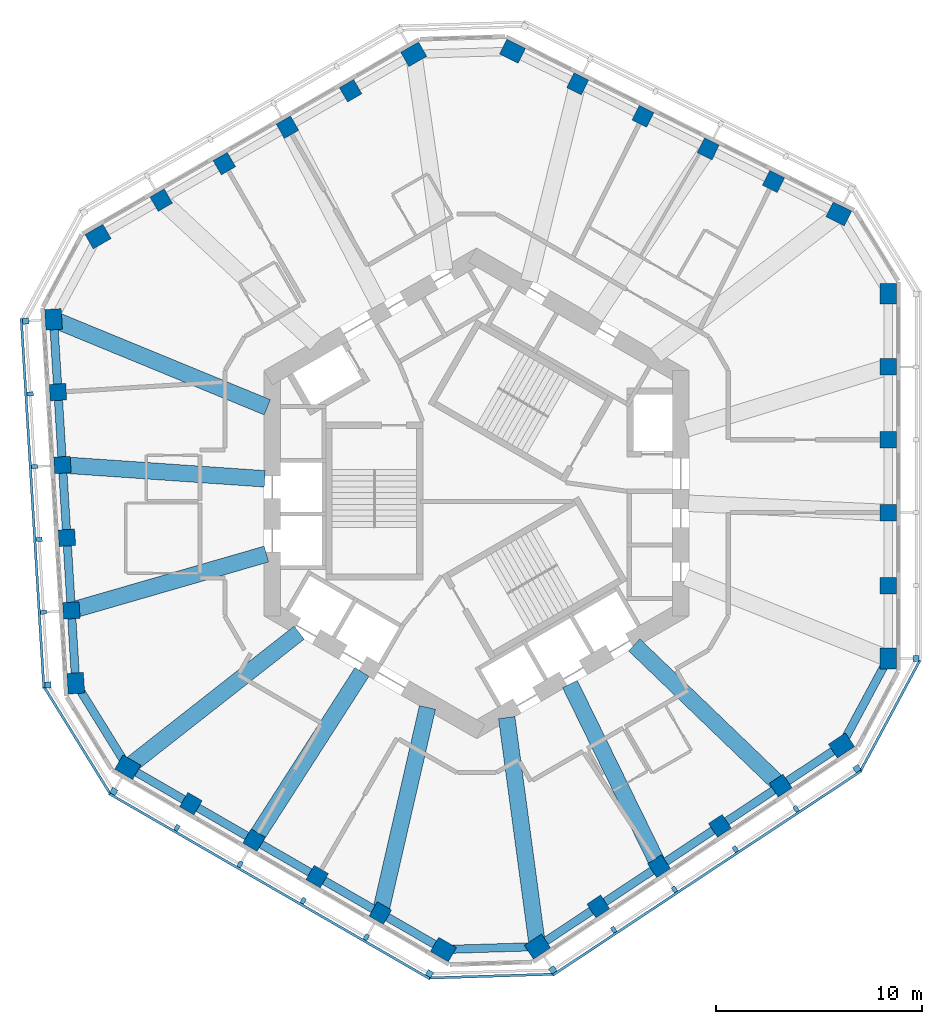
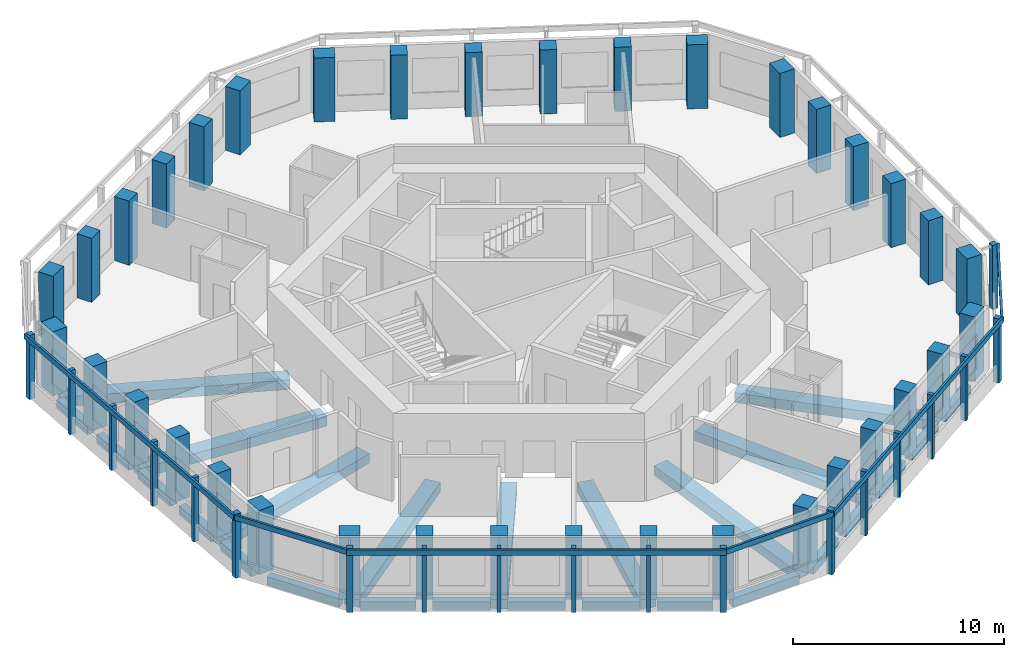
# One storey, part 1 of 11: 36 columns, 27 beams, 25 members, 7 elements without a shape of their own.
"""IFC4 building model written with IfcOpenShell, lengths in metres."""

from ifc_helpers import new_model, si_unit, direction, frame, origin, origin_2d, place, context, subcontext, project, spatial, rectangle, extrude, material, material_profile, profile_set, type_object, element, aggregate, save


model = new_model("IFC4")

# Units and contexts
model_context = context("Model", 3, precision=1e-05, world=origin(), true_north=direction((0.0, 1.0)))
body_context = subcontext(model_context, "Body", "Model", "MODEL_VIEW")
ifc_project = project(units=[si_unit("LENGTHUNIT", "METRE"), si_unit("AREAUNIT", "SQUARE_METRE"), si_unit("VOLUMEUNIT", "CUBIC_METRE"), si_unit("PLANEANGLEUNIT", "RADIAN"), si_unit("MASSUNIT", "GRAM", prefix="KILO")], contexts=[model_context])

# Site, building, storey
site_placement = place(None, origin())
site = spatial("IfcSite", under=ifc_project, at=site_placement, CompositionType="ELEMENT")
building_placement = place(site_placement, origin())
building = spatial("IfcBuilding", under=site, at=building_placement, Name="Vanh Sen Convention Tower", CompositionType="ELEMENT")
storey_placement = place(building_placement, frame((0.0, 0.0, 247.60009765625)))
storey = spatial("IfcBuildingStorey", under=building, at=storey_placement, Name="L61", CompositionType="ELEMENT", Elevation=247.60009765625)

# Columns
ifc_material_1 = material(Name="Concrete C60/75", Category="concrete")
ifc_material_profile_1 = material_profile(ifc_material_1, rectangle(XDim=0.800048828125, YDim=0.800048828125, at=origin_2d()), Name="RC 800X800")
ifc_profile_set_1 = profile_set([ifc_material_profile_1], Name="Concrete C60/75")
column_type_1 = type_object("IfcColumnType", Name="Facade column 800 x 800 C60/75", PredefinedType="COLUMN", material=ifc_profile_set_1)
for number, where, z_axis, x_axis, name in (
    (1, (19.949951171875, -4.46923828125, 0.0), (0.0, 0.0, 1.0), (0.0, 1.0, 0.0), "Facade column 02 L61"),
    (2, (19.949951171875, -0.935546875, 0.0), (0.0, 0.0, 1.0), (0.0, 1.0, 0.0), "Facade column 03 L61"),
    (3, (19.949951171875, 2.59814453125, 0.0), (0.0, 0.0, 1.0), (0.0, 1.0, 0.0), "Facade column 04 L61"),
    (4, (19.949951171875, 6.131591796875, 0.0), (0.0, 0.0, 1.0), (0.0, 1.0, 0.0), "Facade column 05 L61"),
    (5, (14.38916015625, 15.117919921875, 0.0), (0.0, 0.0, 1.0), (-0.894934361602, 0.44619781311, 0.0), "Facade column 08 L61"),
    (6, (11.226806640625, 16.694580078125, 0.0), (0.0, 0.0, 1.0), (-0.894934361602, 0.44619781311, 0.0), "Facade column 09 L61"),
    (7, (8.064453125, 18.271484375, 0.0), (0.0, 0.0, 1.0), (-0.894934361602, 0.44619781311, 0.0), "Facade column 10 L61"),
    (8, (4.902099609375, 19.84814453125, 0.0), (0.0, 0.0, 1.0), (-0.894934361602, 0.44619781311, 0.0), "Facade column 11 L61"),
    (9, (-6.1044921875, 19.51171875, 0.0), (0.0, 0.0, 1.0), (-0.866025403784, -0.5, 0.0), "Facade column 14 L61"),
    (10, (-9.164794921875, 17.7451171875, 0.0), (0.0, 0.0, 1.0), (-0.866025403784, -0.5, 0.0), "Facade column 15 L61"),
    (11, (-12.22509765625, 15.978271484375, 0.0), (0.0, 0.0, 1.0), (-0.866025403784, -0.5, 0.0), "Facade column 16 L61"),
    (12, (-15.28515625, 14.211181640625, 0.0), (0.0, 0.0, 1.0), (-0.866025403784, -0.5, 0.0), "Facade column 17 L61"),
    (13, (-20.287109375, 4.90234375, 0.0), (0.0, 0.0, 1.0), (0.061048539535, -0.998134798422, 0.0), "Facade column 20 L61"),
    (14, (-20.0712890625, 1.375244140625, 0.0), (0.0, 0.0, 1.0), (0.061048539535, -0.998134798422, 0.0), "Facade column 21 L61"),
    (15, (-19.855712890625, -2.151611328125, 0.0), (0.0, 0.0, 1.0), (0.061048539535, -0.998134798422, 0.0), "Facade column 22 L61"),
    (16, (-19.639892578125, -5.6787109375, 0.0), (0.0, 0.0, 1.0), (0.061048539535, -0.998134798422, 0.0), "Facade column 23 L61"),
    (17, (-13.845458984375, -15.04248046875, 0.0), (0.0, 0.0, 1.0), (0.866025403784, -0.5, 0.0), "Facade column 26 L61"),
    (18, (-10.78515625, -16.809326171875, 0.0), (0.0, 0.0, 1.0), (0.866025403784, -0.5, 0.0), "Facade column 27 L61"),
    (19, (-7.72509765625, -18.576416015625, 0.0), (0.0, 0.0, 1.0), (0.866025403784, -0.5, 0.0), "Facade column 28 L61"),
    (20, (-4.664794921875, -20.343017578125, 0.0), (0.0, 0.0, 1.0), (0.866025403784, -0.5, 0.0), "Facade column 29 L61"),
    (21, (5.89794921875, -20.0205078125, 0.0), (0.0, 0.0, 1.0), (0.833885822067, 0.551936985312, 0.0), "Facade column 32 L61"),
    (22, (8.844482421875, -18.070068359375, 0.0), (0.0, 0.0, 1.0), (0.833885822067, 0.551936985312, 0.0), "Facade column 33 L61"),
    (23, (11.791259765625, -16.11962890625, 0.0), (0.0, 0.0, 1.0), (0.833885822067, 0.551936985312, 0.0), "Facade column 34 L61"),
    (24, (14.73779296875, -14.169189453125, 0.0), (0.0, 0.0, 1.0), (0.833885822067, 0.551936985312, 0.0), "Facade column 35 L61"),
):
    element("IfcColumn", number, at=place(storey_placement, frame(where, z_axis=z_axis, x_axis=x_axis)), inside=storey, type_object=column_type_1, Name=name, PredefinedType="COLUMN", context=body_context, shape_type="SweptSolid", body=[
        extrude(rectangle(XDim=0.800048828125, YDim=0.800048828125, at=origin_2d()), origin(), (0.0, 0.0, 1.0), 3.699951171875),
    ])
ifc_material_profile_2 = material_profile(ifc_material_1, rectangle(XDim=1.0, YDim=0.800048828125, at=origin_2d()), Name="RC 1000X800")
ifc_profile_set_2 = profile_set([ifc_material_profile_2], Name="Concrete C60/75")
column_type_2 = type_object("IfcColumnType", Name="Facade corner column 1000 x 800 C60/75", PredefinedType="COLUMN", material=ifc_profile_set_2)
for number, where, z_axis, x_axis, name in (
    (25, (19.949951171875, -8.002685546875, 0.0), (0.0, 0.0, 1.0), (0.0, 1.0, 0.0), "Facade column 01 L61"),
    (26, (19.949951171875, 9.665283203125, 0.0), (0.0, 0.0, 1.0), (0.0, 1.0, 0.0), "Facade column 06 L61"),
    (27, (17.551513671875, 13.541259765625, 0.0), (0.0, 0.0, 1.0), (-0.894934361602, 0.44619781311, 0.0), "Facade column 07 L61"),
    (28, (1.73974609375, 21.4248046875, 0.0), (0.0, 0.0, 1.0), (-0.894934361602, 0.44619781311, 0.0), "Facade column 12 L61"),
    (29, (-3.04443359375, 21.278564453125, 0.0), (0.0, 0.0, 1.0), (-0.866025403784, -0.5, 0.0), "Facade column 13 L61"),
    (30, (-18.345458984375, 12.444580078125, 0.0), (0.0, 0.0, 1.0), (-0.866025403784, -0.5, 0.0), "Facade column 18 L61"),
    (31, (-20.502685546875, 8.429443359375, 0.0), (0.0, 0.0, 1.0), (0.061048539535, -0.998134798422, 0.0), "Facade column 19 L61"),
    (32, (-19.42431640625, -9.205810546875, 0.0), (0.0, 0.0, 1.0), (0.061048539535, -0.998134798422, 0.0), "Facade column 24 L61"),
    (33, (-16.905517578125, -13.27587890625, 0.0), (0.0, 0.0, 1.0), (0.866025403784, -0.5, 0.0), "Facade column 25 L61"),
    (34, (-1.6044921875, -22.10986328125, 0.0), (0.0, 0.0, 1.0), (0.866025403784, -0.5, 0.0), "Facade column 30 L61"),
    (35, (2.951416015625, -21.970703125, 0.0), (0.0, 0.0, 1.0), (0.833885822067, 0.551936985312, 0.0), "Facade column 31 L61"),
    (36, (17.6845703125, -12.218994140625, 0.0), (0.0, 0.0, 1.0), (0.833885822067, 0.551936985312, 0.0), "Facade column 36 L61"),
):
    element("IfcColumn", number, at=place(storey_placement, frame(where, z_axis=z_axis, x_axis=x_axis)), inside=storey, type_object=column_type_2, Name=name, PredefinedType="COLUMN", context=body_context, shape_type="SweptSolid", body=[
        extrude(rectangle(XDim=1.0, YDim=0.800048828125, at=origin_2d()), origin(), (0.0, 0.0, 1.0), 3.699951171875),
    ])

# Curtain wall, member
ifc_material_2 = material(Name="Concrete C50/60", Category="concrete")
curtain_wall_type = type_object("IfcCurtainWallType", Name="Outer skin office zone", PredefinedType="NOTDEFINED", material=ifc_material_2)
curtain_wall_1_placement = place(storey_placement, origin())
curtain_wall_1 = element("IfcCurtainWall", 37, at=curtain_wall_1_placement, inside=storey, type_object=curtain_wall_type, Name="OUTER SKIN E L61", PredefinedType="NOTDEFINED")
ifc_material_profile_3 = material_profile(ifc_material_2, rectangle(XDim=0.300048828125, YDim=0.300048828125, at=origin_2d()), Name="Outer skin precast corner fin 300 x 300")
ifc_profile_set_3 = profile_set([ifc_material_profile_3], Name="Concrete C50/60")
member_type_1 = type_object("IfcMemberType", Name="Outer skin precast corner fin 300 x 300", PredefinedType="MULLION", material=ifc_profile_set_3)
member_1_placement = place(storey_placement, frame((21.300048828125, -8.002685546875, 0.0), z_axis=(0.0, 0.0, 1.0), x_axis=(0.0, 1.0, 0.0)))
member_1 = element("IfcMember", 38, at=member_1_placement, type_object=member_type_1, Name="OUTER SKIN CORNER FIN 1 E L61", PredefinedType="MULLION", context=body_context, shape_type="SweptSolid", body=[
    extrude(rectangle(XDim=0.300048828125, YDim=0.300048828125, at=origin_2d()), origin(), (0.0, 0.0, 1.0), 3.699951171875),
])
aggregate(curtain_wall_1, [member_1])

# Curtain wall, members
curtain_wall_2_placement = place(storey_placement, origin())
curtain_wall_2 = element("IfcCurtainWall", 39, at=curtain_wall_2_placement, inside=storey, type_object=curtain_wall_type, Name="OUTER SKIN W L61", PredefinedType="NOTDEFINED")
member_2_placement = place(storey_placement, frame((-21.850341796875, 8.346923828125, 0.0), z_axis=(0.0, 0.0, 1.0), x_axis=(0.061048539535, -0.998134798422, 0.0)))
member_2 = element("IfcMember", 40, at=member_2_placement, type_object=member_type_1, Name="OUTER SKIN CORNER FIN 1 W L61", PredefinedType="MULLION", context=body_context, shape_type="SweptSolid", body=[
    extrude(rectangle(XDim=0.300048828125, YDim=0.300048828125, at=origin_2d()), origin(), (0.0, 0.0, 1.0), 3.699951171875),
])
member_3_placement = place(storey_placement, frame((-20.771728515625, -9.2880859375, 0.0), z_axis=(0.0, 0.0, 1.0), x_axis=(0.061048539535, -0.998134798422, 0.0)))
member_3 = element("IfcMember", 41, at=member_3_placement, type_object=member_type_1, Name="OUTER SKIN CORNER FIN 6 W L61", PredefinedType="MULLION", context=body_context, shape_type="SweptSolid", body=[
    extrude(rectangle(XDim=0.300048828125, YDim=0.300048828125, at=origin_2d()), origin(), (0.0, 0.0, 1.0), 3.699951171875),
])

curtain_wall_3_placement = place(storey_placement, origin())
curtain_wall_3 = element("IfcCurtainWall", 42, at=curtain_wall_3_placement, inside=storey, type_object=curtain_wall_type, Name="OUTER SKIN SW L61", PredefinedType="NOTDEFINED")
member_4_placement = place(storey_placement, frame((-17.58056640625, -14.44482421875, 0.0), z_axis=(0.0, 0.0, 1.0), x_axis=(0.866025403784, -0.5, 0.0)))
member_4 = element("IfcMember", 43, at=member_4_placement, type_object=member_type_1, Name="OUTER SKIN CORNER FIN 1 SW L61", PredefinedType="MULLION", context=body_context, shape_type="SweptSolid", body=[
    extrude(rectangle(XDim=0.300048828125, YDim=0.300048828125, at=origin_2d()), origin(), (0.0, 0.0, 1.0), 3.699951171875),
])
member_5_placement = place(storey_placement, frame((-2.279541015625, -23.279052734375, 0.0), z_axis=(0.0, 0.0, 1.0), x_axis=(0.866025403784, -0.5, 0.0)))
member_5 = element("IfcMember", 44, at=member_5_placement, type_object=member_type_1, Name="OUTER SKIN CORNER FIN 6 SW L61", PredefinedType="MULLION", context=body_context, shape_type="SweptSolid", body=[
    extrude(rectangle(XDim=0.300048828125, YDim=0.300048828125, at=origin_2d()), origin(), (0.0, 0.0, 1.0), 3.699951171875),
])

curtain_wall_4_placement = place(storey_placement, origin())
curtain_wall_4 = element("IfcCurtainWall", 45, at=curtain_wall_4_placement, inside=storey, type_object=curtain_wall_type, Name="OUTER SKIN SE L61", PredefinedType="NOTDEFINED")
member_6_placement = place(storey_placement, frame((3.6962890625, -23.096435546875, 0.0), z_axis=(0.0, 0.0, 1.0), x_axis=(0.833885822067, 0.551936985312, 0.0)))
member_6 = element("IfcMember", 46, at=member_6_placement, type_object=member_type_1, Name="OUTER SKIN CORNER FIN 1 SE L61", PredefinedType="MULLION", context=body_context, shape_type="SweptSolid", body=[
    extrude(rectangle(XDim=0.300048828125, YDim=0.300048828125, at=origin_2d()), origin(), (0.0, 0.0, 1.0), 3.699951171875),
])
member_7_placement = place(storey_placement, frame((18.4296875, -13.3447265625, 0.0), z_axis=(0.0, 0.0, 1.0), x_axis=(0.833885822067, 0.551936985312, 0.0)))
member_7 = element("IfcMember", 47, at=member_7_placement, type_object=member_type_1, Name="OUTER SKIN CORNER FIN 6 SE L61", PredefinedType="MULLION", context=body_context, shape_type="SweptSolid", body=[
    extrude(rectangle(XDim=0.300048828125, YDim=0.300048828125, at=origin_2d()), origin(), (0.0, 0.0, 1.0), 3.699951171875),
])

# Member
ifc_material_profile_4 = material_profile(ifc_material_2, rectangle(XDim=0.199951171875, YDim=0.300048828125, at=origin_2d()), Name="Outer skin precast fin 200 x 300")
ifc_profile_set_4 = profile_set([ifc_material_profile_4], Name="Concrete C50/60")
member_type_2 = type_object("IfcMemberType", Name="Outer skin precast fin 200 x 300", PredefinedType="MULLION", material=ifc_profile_set_4)
member_8_placement = place(storey_placement, frame((-21.634521484375, 4.820068359375, 0.0), z_axis=(0.0, 0.0, 1.0), x_axis=(0.061048539535, -0.998134798422, 0.0)))
member_8 = element("IfcMember", 48, at=member_8_placement, type_object=member_type_2, Name="OUTER SKIN fin 2 W L61", PredefinedType="MULLION", context=body_context, shape_type="SweptSolid", body=[
    extrude(rectangle(XDim=0.199951171875, YDim=0.300048828125, at=origin_2d()), origin(), (0.0, 0.0, 1.0), 3.699951171875),
])

member_9_placement = place(storey_placement, frame((-21.4189453125, 1.29296875, 0.0), z_axis=(0.0, 0.0, 1.0), x_axis=(0.061048539535, -0.998134798422, 0.0)))
member_9 = element("IfcMember", 49, at=member_9_placement, type_object=member_type_2, Name="OUTER SKIN fin 3 W L61", PredefinedType="MULLION", context=body_context, shape_type="SweptSolid", body=[
    extrude(rectangle(XDim=0.199951171875, YDim=0.300048828125, at=origin_2d()), origin(), (0.0, 0.0, 1.0), 3.699951171875),
])

member_10_placement = place(storey_placement, frame((-21.203125, -2.234130859375, 0.0), z_axis=(0.0, 0.0, 1.0), x_axis=(0.061048539535, -0.998134798422, 0.0)))
member_10 = element("IfcMember", 50, at=member_10_placement, type_object=member_type_2, Name="OUTER SKIN fin 4 W L61", PredefinedType="MULLION", context=body_context, shape_type="SweptSolid", body=[
    extrude(rectangle(XDim=0.199951171875, YDim=0.300048828125, at=origin_2d()), origin(), (0.0, 0.0, 1.0), 3.699951171875),
])

member_11_placement = place(storey_placement, frame((-20.987548828125, -5.760986328125, 0.0), z_axis=(0.0, 0.0, 1.0), x_axis=(0.061048539535, -0.998134798422, 0.0)))
member_11 = element("IfcMember", 51, at=member_11_placement, type_object=member_type_2, Name="OUTER SKIN fin 5 W L61", PredefinedType="MULLION", context=body_context, shape_type="SweptSolid", body=[
    extrude(rectangle(XDim=0.199951171875, YDim=0.300048828125, at=origin_2d()), origin(), (0.0, 0.0, 1.0), 3.699951171875),
])

member_12_placement = place(storey_placement, frame((-14.5205078125, -16.211669921875, 0.0), z_axis=(0.0, 0.0, 1.0), x_axis=(0.866025403784, -0.5, 0.0)))
member_12 = element("IfcMember", 52, at=member_12_placement, type_object=member_type_2, Name="OUTER SKIN fin 2 SW L61", PredefinedType="MULLION", context=body_context, shape_type="SweptSolid", body=[
    extrude(rectangle(XDim=0.199951171875, YDim=0.300048828125, at=origin_2d()), origin(), (0.0, 0.0, 1.0), 3.699951171875),
])

member_13_placement = place(storey_placement, frame((-11.460205078125, -17.978515625, 0.0), z_axis=(0.0, 0.0, 1.0), x_axis=(0.866025403784, -0.5, 0.0)))
member_13 = element("IfcMember", 53, at=member_13_placement, type_object=member_type_2, Name="OUTER SKIN fin 3 SW L61", PredefinedType="MULLION", context=body_context, shape_type="SweptSolid", body=[
    extrude(rectangle(XDim=0.199951171875, YDim=0.300048828125, at=origin_2d()), origin(), (0.0, 0.0, 1.0), 3.699951171875),
])

member_14_placement = place(storey_placement, frame((-8.39990234375, -19.745361328125, 0.0), z_axis=(0.0, 0.0, 1.0), x_axis=(0.866025403784, -0.5, 0.0)))
member_14 = element("IfcMember", 54, at=member_14_placement, type_object=member_type_2, Name="OUTER SKIN fin 4 SW L61", PredefinedType="MULLION", context=body_context, shape_type="SweptSolid", body=[
    extrude(rectangle(XDim=0.199951171875, YDim=0.300048828125, at=origin_2d()), origin(), (0.0, 0.0, 1.0), 3.699951171875),
])

member_15_placement = place(storey_placement, frame((-5.33984375, -21.51220703125, 0.0), z_axis=(0.0, 0.0, 1.0), x_axis=(0.866025403784, -0.5, 0.0)))
member_15 = element("IfcMember", 55, at=member_15_placement, type_object=member_type_2, Name="OUTER SKIN fin 5 SW L61", PredefinedType="MULLION", context=body_context, shape_type="SweptSolid", body=[
    extrude(rectangle(XDim=0.199951171875, YDim=0.300048828125, at=origin_2d()), origin(), (0.0, 0.0, 1.0), 3.699951171875),
])

member_16_placement = place(storey_placement, frame((6.64306640625, -21.14599609375, 0.0), z_axis=(0.0, 0.0, 1.0), x_axis=(0.833885822067, 0.551936985312, 0.0)))
member_16 = element("IfcMember", 56, at=member_16_placement, type_object=member_type_2, Name="OUTER SKIN fin 2 SE L61", PredefinedType="MULLION", context=body_context, shape_type="SweptSolid", body=[
    extrude(rectangle(XDim=0.199951171875, YDim=0.300048828125, at=origin_2d()), origin(), (0.0, 0.0, 1.0), 3.699951171875),
])

member_17_placement = place(storey_placement, frame((9.589599609375, -19.19580078125, 0.0), z_axis=(0.0, 0.0, 1.0), x_axis=(0.833885822067, 0.551936985312, 0.0)))
member_17 = element("IfcMember", 57, at=member_17_placement, type_object=member_type_2, Name="OUTER SKIN fin 3 SE L61", PredefinedType="MULLION", context=body_context, shape_type="SweptSolid", body=[
    extrude(rectangle(XDim=0.199951171875, YDim=0.300048828125, at=origin_2d()), origin(), (0.0, 0.0, 1.0), 3.699951171875),
])

member_18_placement = place(storey_placement, frame((12.536376953125, -17.245361328125, 0.0), z_axis=(0.0, 0.0, 1.0), x_axis=(0.833885822067, 0.551936985312, 0.0)))
member_18 = element("IfcMember", 58, at=member_18_placement, type_object=member_type_2, Name="OUTER SKIN fin 4 SE L61", PredefinedType="MULLION", context=body_context, shape_type="SweptSolid", body=[
    extrude(rectangle(XDim=0.199951171875, YDim=0.300048828125, at=origin_2d()), origin(), (0.0, 0.0, 1.0), 3.699951171875),
])

member_19_placement = place(storey_placement, frame((15.48291015625, -15.294921875, 0.0), z_axis=(0.0, 0.0, 1.0), x_axis=(0.833885822067, 0.551936985312, 0.0)))
member_19 = element("IfcMember", 59, at=member_19_placement, type_object=member_type_2, Name="OUTER SKIN fin 5 SE L61", PredefinedType="MULLION", context=body_context, shape_type="SweptSolid", body=[
    extrude(rectangle(XDim=0.199951171875, YDim=0.300048828125, at=origin_2d()), origin(), (0.0, 0.0, 1.0), 3.699951171875),
])

ifc_material_profile_5 = material_profile(ifc_material_2, rectangle(XDim=0.1201171875, YDim=0.300048828125, at=origin_2d()), Name="Outer skin precast spandrel band 300 x 120")
ifc_profile_set_5 = profile_set([ifc_material_profile_5], Name="Concrete C50/60")
member_type_3 = type_object("IfcMemberType", Name="Outer skin precast spandrel band 300 x 120", PredefinedType="USERDEFINED", material=ifc_profile_set_5)
member_20_placement = place(storey_placement, frame((-22.069091796875, 8.48388671875, 3.5498046875), z_axis=(0.061048457282, -0.998134803453, 0.0), x_axis=(0.998134803453, 0.061048457282, 0.0)))
member_20 = element("IfcMember", 60, at=member_20_placement, type_object=member_type_3, Name="OUTER SKIN spandrel band W L61", ObjectType="TRANSOM", PredefinedType="USERDEFINED", context=body_context, shape_type="SweptSolid", body=[
    extrude(rectangle(XDim=0.1201171875, YDim=0.300048828125, at=origin_2d()), origin(), (0.0, 0.0, 1.0), 17.968017578125),
])

aggregate(curtain_wall_2, [member_2, member_8, member_9, member_10, member_11, member_3, member_20])

# Curtain wall, member
curtain_wall_5_placement = place(storey_placement, origin())
curtain_wall_5 = element("IfcCurtainWall", 61, at=curtain_wall_5_placement, inside=storey, type_object=curtain_wall_type, Name="OUTER SKIN CH4 L61", PredefinedType="NOTDEFINED")
member_21_placement = place(storey_placement, frame((-20.9501953125, -9.398681640625, 3.5498046875), z_axis=(0.526193830542, -0.850364658661, 0.0), x_axis=(0.850364658661, 0.526193830542, 0.0)))
member_21 = element("IfcMember", 62, at=member_21_placement, type_object=member_type_3, Name="OUTER SKIN spandrel band CH4 L61", ObjectType="TRANSOM", PredefinedType="USERDEFINED", context=body_context, shape_type="SweptSolid", body=[
    extrude(rectangle(XDim=0.1201171875, YDim=0.300048828125, at=origin_2d()), origin(), (0.0, 0.0, 1.0), 6.064208984375),
])
aggregate(curtain_wall_5, [member_21])

# Member
member_22_placement = place(storey_placement, frame((-17.8154296875, -14.5517578125, 3.5498046875), z_axis=(0.866022898019, -0.500004340088, 0.0), x_axis=(0.500004340088, 0.866022898019, 0.0)))
member_22 = element("IfcMember", 63, at=member_22_placement, type_object=member_type_3, Name="OUTER SKIN spandrel band SW L61", ObjectType="TRANSOM", PredefinedType="USERDEFINED", context=body_context, shape_type="SweptSolid", body=[
    extrude(rectangle(XDim=0.1201171875, YDim=0.300048828125, at=origin_2d()), origin(), (0.0, 0.0, 1.0), 17.968017578125),
])

aggregate(curtain_wall_3, [member_4, member_12, member_13, member_14, member_15, member_5, member_22])

# Curtain wall, member
curtain_wall_6_placement = place(storey_placement, origin())
curtain_wall_6 = element("IfcCurtainWall", 64, at=curtain_wall_6_placement, inside=storey, type_object=curtain_wall_type, Name="OUTER SKIN CH5 L61", PredefinedType="NOTDEFINED")
member_23_placement = place(storey_placement, frame((-2.273193359375, -23.489013671875, 3.5498046875), z_axis=(0.99953342946, 0.030543794642, 0.0), x_axis=(-0.030543794642, 0.99953342946, 0.0)))
member_23 = element("IfcMember", 65, at=member_23_placement, type_object=member_type_3, Name="OUTER SKIN spandrel band CH5 L61", ObjectType="TRANSOM", PredefinedType="USERDEFINED", context=body_context, shape_type="SweptSolid", body=[
    extrude(rectangle(XDim=0.1201171875, YDim=0.300048828125, at=origin_2d()), origin(), (0.0, 0.0, 1.0), 5.978759765625),
])
aggregate(curtain_wall_6, [member_23])

# Member
member_24_placement = place(storey_placement, frame((3.687255859375, -23.3544921875, 3.5498046875), z_axis=(0.83388107344, 0.551944159638, 0.0), x_axis=(-0.551944159638, 0.83388107344, 0.0)))
member_24 = element("IfcMember", 66, at=member_24_placement, type_object=member_type_3, Name="OUTER SKIN spandrel band SE L61", ObjectType="TRANSOM", PredefinedType="USERDEFINED", context=body_context, shape_type="SweptSolid", body=[
    extrude(rectangle(XDim=0.1201171875, YDim=0.300048828125, at=origin_2d()), origin(), (0.0, 0.0, 1.0), 17.96826171875),
])

aggregate(curtain_wall_4, [member_6, member_16, member_17, member_18, member_19, member_7, member_24])

# Curtain wall, member
curtain_wall_7_placement = place(storey_placement, origin())
curtain_wall_7 = element("IfcCurtainWall", 67, at=curtain_wall_7_placement, inside=storey, type_object=curtain_wall_type, Name="OUTER SKIN CH6 L61", PredefinedType="NOTDEFINED")
member_25_placement = place(storey_placement, frame((18.61474609375, -13.444091796875, 3.5498046875), z_axis=(0.473333785199, 0.880883152177, 0.0), x_axis=(-0.880883152177, 0.473333785199, 0.0)))
member_25 = element("IfcMember", 68, at=member_25_placement, type_object=member_type_3, Name="OUTER SKIN spandrel band CH6 L61", ObjectType="TRANSOM", PredefinedType="USERDEFINED", context=body_context, shape_type="SweptSolid", body=[
    extrude(rectangle(XDim=0.1201171875, YDim=0.300048828125, at=origin_2d()), origin(), (0.0, 0.0, 1.0), 6.064208984375),
])
aggregate(curtain_wall_7, [member_25])

# Beams
ifc_material_3 = material(Name="Concrete C50/60", Category="concrete")
ifc_material_profile_6 = material_profile(ifc_material_3, rectangle(XDim=0.800048828125, YDim=0.550048828125, at=origin_2d()), Name="RC 800X550")
ifc_profile_set_6 = profile_set([ifc_material_profile_6], Name="Concrete C50/60")
beam_type_1 = type_object("IfcBeamType", Name="Radial floor beam 800 x 550", PredefinedType="BEAM", material=ifc_profile_set_6)
beam_1_placement = place(storey_placement, frame((-20.275634765625, 8.3359375, -0.55517578125), z_axis=(0.924882422431, -0.380253211266, 0.0), x_axis=(0.380253211266, 0.924882422431, 0.0)))
element("IfcBeam", 69, at=beam_1_placement, inside=storey, type_object=beam_type_1, Name="Radial beam 10 L61", PredefinedType="BEAM", context=body_context, shape_type="SweptSolid", body=[
    extrude(rectangle(XDim=0.800048828125, YDim=0.550048828125, at=origin_2d()), origin(), (0.0, 0.0, 1.0), 10.955322265625),
])
beam_2_placement = place(storey_placement, frame((-20.050537109375, 1.373779296875, -0.55517578125), z_axis=(0.997661867586, -0.068343236418, 0.0), x_axis=(0.068343236418, 0.997661867586, 0.0)))
element("IfcBeam", 70, at=beam_2_placement, inside=storey, type_object=beam_type_1, Name="Radial beam 11 L61", PredefinedType="BEAM", context=body_context, shape_type="SweptSolid", body=[
    extrude(rectangle(XDim=0.800048828125, YDim=0.550048828125, at=origin_2d()), origin(), (0.0, 0.0, 1.0), 9.805908203125),
])
beam_3_placement = place(storey_placement, frame((-19.602294921875, -5.667724609375, -0.55517578125), z_axis=(0.960650858228, 0.277758759693, 0.0), x_axis=(-0.277758759693, 0.960650858228, 0.0)))
element("IfcBeam", 71, at=beam_3_placement, inside=storey, type_object=beam_type_1, Name="Radial beam 12 L61", PredefinedType="BEAM", context=body_context, shape_type="SweptSolid", body=[
    extrude(rectangle(XDim=0.800048828125, YDim=0.550048828125, at=origin_2d()), origin(), (0.0, 0.0, 1.0), 9.803955078125),
])
beam_4_placement = place(storey_placement, frame((-16.69677734375, -13.11181640625, -0.55517578125), z_axis=(0.786476273666, 0.617620491047, 0.0), x_axis=(-0.617620491047, 0.786476273666, 0.0)))
element("IfcBeam", 72, at=beam_4_placement, inside=storey, type_object=beam_type_1, Name="Radial beam 13 L61", PredefinedType="BEAM", context=body_context, shape_type="SweptSolid", body=[
    extrude(rectangle(XDim=0.800048828125, YDim=0.550048828125, at=origin_2d()), origin(), (0.0, 0.0, 1.0), 10.29736328125),
])
beam_5_placement = place(storey_placement, frame((-10.782958984375, -16.805908203125, -0.55517578125), z_axis=(0.540018071199, 0.841653422009, 0.0), x_axis=(-0.841653422009, 0.540018071199, 0.0)))
element("IfcBeam", 73, at=beam_5_placement, inside=storey, type_object=beam_type_1, Name="Radial beam 14 L61", PredefinedType="BEAM", context=body_context, shape_type="SweptSolid", body=[
    extrude(rectangle(XDim=0.800048828125, YDim=0.550048828125, at=origin_2d()), origin(), (0.0, 0.0, 1.0), 9.680419921875),
])
beam_6_placement = place(storey_placement, frame((-4.652587890625, -20.289306640625, -0.55517578125), z_axis=(0.223507322127, 0.974702250411, 0.0), x_axis=(-0.974702250411, 0.223507322127, 0.0)))
element("IfcBeam", 74, at=beam_6_placement, inside=storey, type_object=beam_type_1, Name="Radial beam 15 L61", PredefinedType="BEAM", context=body_context, shape_type="SweptSolid", body=[
    extrude(rectangle(XDim=0.800048828125, YDim=0.550048828125, at=origin_2d()), origin(), (0.0, 0.0, 1.0), 10.16845703125),
])
beam_7_placement = place(storey_placement, frame((2.918701171875, -21.727294921875, -0.55517578125), z_axis=(-0.133129984992, 0.991098585962, 0.0), x_axis=(-0.991098585962, -0.133129984992, 0.0)))
element("IfcBeam", 75, at=beam_7_placement, inside=storey, type_object=beam_type_1, Name="Radial beam 16 L61", PredefinedType="BEAM", context=body_context, shape_type="SweptSolid", body=[
    extrude(rectangle(XDim=0.800048828125, YDim=0.550048828125, at=origin_2d()), origin(), (0.0, 0.0, 1.0), 10.955322265625),
])
beam_8_placement = place(storey_placement, frame((8.83544921875, -18.05126953125, -0.55517578125), z_axis=(-0.439638766278, 0.898174679662, 0.0), x_axis=(-0.898174679662, -0.439638766278, 0.0)))
element("IfcBeam", 76, at=beam_8_placement, inside=storey, type_object=beam_type_1, Name="Radial beam 17 L61", PredefinedType="BEAM", context=body_context, shape_type="SweptSolid", body=[
    extrude(rectangle(XDim=0.800048828125, YDim=0.550048828125, at=origin_2d()), origin(), (0.0, 0.0, 1.0), 9.805908203125),
])
beam_9_placement = place(storey_placement, frame((14.709716796875, -14.14208984375, -0.55517578125), z_axis=(-0.720890006094, 0.693049492542, 0.0), x_axis=(-0.693049492542, -0.720890006094, 0.0)))
element("IfcBeam", 77, at=beam_9_placement, inside=storey, type_object=beam_type_1, Name="Radial beam 18 L61", PredefinedType="BEAM", context=body_context, shape_type="SweptSolid", body=[
    extrude(rectangle(XDim=0.800048828125, YDim=0.550048828125, at=origin_2d()), origin(), (0.0, 0.0, 1.0), 9.803955078125),
])
ifc_material_profile_7 = material_profile(ifc_material_3, rectangle(XDim=0.39990234375, YDim=0.5, at=origin_2d()), Name="RC 400X500")
ifc_profile_set_7 = profile_set([ifc_material_profile_7], Name="Concrete C50/60")
beam_type_2 = type_object("IfcBeamType", Name="Spandrel beam 400 x 500", PredefinedType="SPANDREL", material=ifc_profile_set_7)
beam_10_placement = place(storey_placement, frame((-20.47265625, 7.935302734375, -0.530029296875), z_axis=(0.061044344131, -0.998135055015, 0.0), x_axis=(0.998135055015, 0.061044344131, 0.0)))
element("IfcBeam", 78, at=beam_10_placement, inside=storey, type_object=beam_type_2, Name="Spandrel beam 19 L61", PredefinedType="SPANDREL", context=body_context, shape_type="SweptSolid", body=[
    extrude(rectangle(XDim=0.39990234375, YDim=0.5, at=origin_2d()), origin(), (0.0, 0.0, 1.0), 2.6435546875),
])
for number, where, z_axis, x_axis, name in (
    (79, (-20.262939453125, 4.50830078125, -0.530029296875), (0.0610377007, -0.998135461294, 0.0), (0.998135461294, 0.0610377007, 0.0), "Spandrel beam 20 L61"),
    (80, (-20.04736328125, 0.981201171875, -0.530029296875), (0.0610377007, -0.998135461294, 0.0), (0.998135461294, 0.0610377007, 0.0), "Spandrel beam 21 L61"),
):
    element("IfcBeam", number, at=place(storey_placement, frame(where, z_axis=z_axis, x_axis=x_axis)), inside=storey, type_object=beam_type_2, Name=name, PredefinedType="SPANDREL", context=body_context, shape_type="SweptSolid", body=[
        extrude(rectangle(XDim=0.39990234375, YDim=0.5, at=origin_2d()), origin(), (0.0, 0.0, 1.0), 2.743896484375),
    ])
beam_11_placement = place(storey_placement, frame((-19.83154296875, -2.5458984375, -0.530029296875), z_axis=(0.061043121959, -0.99813512976, 0.0), x_axis=(0.99813512976, 0.061043121959, 0.0)))
element("IfcBeam", 81, at=beam_11_placement, inside=storey, type_object=beam_type_2, Name="Spandrel beam 22 L61", PredefinedType="SPANDREL", context=body_context, shape_type="SweptSolid", body=[
    extrude(rectangle(XDim=0.39990234375, YDim=0.5, at=origin_2d()), origin(), (0.0, 0.0, 1.0), 2.74365234375),
])
beam_12_placement = place(storey_placement, frame((-19.615966796875, -6.072998046875, -0.530029296875), z_axis=(0.061130715794, -0.998129768911, 0.0), x_axis=(0.998129768911, 0.061130715794, 0.0)))
element("IfcBeam", 82, at=beam_12_placement, inside=storey, type_object=beam_type_2, Name="Spandrel beam 23 L61", PredefinedType="SPANDREL", context=body_context, shape_type="SweptSolid", body=[
    extrude(rectangle(XDim=0.39990234375, YDim=0.5, at=origin_2d()), origin(), (0.0, 0.0, 1.0), 2.643798828125),
])
beam_13_placement = place(storey_placement, frame((-19.184814453125, -9.5927734375, -0.530029296875), z_axis=(0.526228847955, -0.850342989376, 0.0), x_axis=(0.850342989376, 0.526228847955, 0.0)))
element("IfcBeam", 83, at=beam_13_placement, inside=storey, type_object=beam_type_2, Name="Spandrel beam 24 L61", PredefinedType="SPANDREL", context=body_context, shape_type="SweptSolid", body=[
    extrude(rectangle(XDim=0.39990234375, YDim=0.5, at=origin_2d()), origin(), (0.0, 0.0, 1.0), 3.876220703125),
])
beam_14_placement = place(storey_placement, frame((-16.476806640625, -13.523193359375, -0.530029296875), z_axis=(0.865977951575, -0.500082180631, 0.0), x_axis=(0.500082180631, 0.865977951575, 0.0)))
element("IfcBeam", 84, at=beam_14_placement, inside=storey, type_object=beam_type_2, Name="Spandrel beam 25 L61", PredefinedType="SPANDREL", context=body_context, shape_type="SweptSolid", body=[
    extrude(rectangle(XDim=0.39990234375, YDim=0.5, at=origin_2d()), origin(), (0.0, 0.0, 1.0), 2.6435546875),
])
beam_15_placement = place(storey_placement, frame((-13.50341796875, -15.239990234375, -0.530029296875), z_axis=(0.866038895281, -0.499976631314, 0.0), x_axis=(0.499976631314, 0.866038895281, 0.0)))
element("IfcBeam", 85, at=beam_15_placement, inside=storey, type_object=beam_type_2, Name="Spandrel beam 26 L61", PredefinedType="SPANDREL", context=body_context, shape_type="SweptSolid", body=[
    extrude(rectangle(XDim=0.39990234375, YDim=0.5, at=origin_2d()), origin(), (0.0, 0.0, 1.0), 2.743896484375),
])
for number, where, z_axis, x_axis, name in (
    (86, (-10.443115234375, -17.0068359375, -0.530029296875), (0.865978115955, -0.500081895979, 0.0), (0.500081895979, 0.865978115955, 0.0), "Spandrel beam 27 L61"),
    (87, (-7.3828125, -18.773681640625, -0.530029296875), (0.866016649877, -0.500015161905, 0.0), (0.500015161905, 0.866016649877, 0.0), "Spandrel beam 28 L61"),
):
    element("IfcBeam", number, at=place(storey_placement, frame(where, z_axis=z_axis, x_axis=x_axis)), inside=storey, type_object=beam_type_2, Name=name, PredefinedType="SPANDREL", context=body_context, shape_type="SweptSolid", body=[
        extrude(rectangle(XDim=0.39990234375, YDim=0.5, at=origin_2d()), origin(), (0.0, 0.0, 1.0), 2.74365234375),
    ])
beam_16_placement = place(storey_placement, frame((-4.32275390625, -20.54052734375, -0.530029296875), z_axis=(0.866041031621, -0.499972930816, 0.0), x_axis=(0.499972930816, 0.866041031621, 0.0)))
element("IfcBeam", 88, at=beam_16_placement, inside=storey, type_object=beam_type_2, Name="Spandrel beam 29 L61", PredefinedType="SPANDREL", context=body_context, shape_type="SweptSolid", body=[
    extrude(rectangle(XDim=0.39990234375, YDim=0.5, at=origin_2d()), origin(), (0.0, 0.0, 1.0), 2.643798828125),
])
beam_17_placement = place(storey_placement, frame((-1.1728515625, -22.0966796875, -0.530029296875), z_axis=(0.999533752193, 0.03053323152, 0.0), x_axis=(-0.03053323152, 0.999533752193, 0.0)))
element("IfcBeam", 89, at=beam_17_placement, inside=storey, type_object=beam_type_2, Name="Spandrel beam 30 L61", PredefinedType="SPANDREL", context=body_context, shape_type="SweptSolid", body=[
    extrude(rectangle(XDim=0.39990234375, YDim=0.5, at=origin_2d()), origin(), (0.0, 0.0, 1.0), 3.694091796875),
])
beam_18_placement = place(storey_placement, frame((3.364013671875, -21.697509765625, -0.530029296875), z_axis=(0.833878452865, 0.551948118801, 0.0), x_axis=(-0.551948118801, 0.833878452865, 0.0)))
element("IfcBeam", 90, at=beam_18_placement, inside=storey, type_object=beam_type_2, Name="Spandrel beam 31 L61", PredefinedType="SPANDREL", context=body_context, shape_type="SweptSolid", body=[
    extrude(rectangle(XDim=0.39990234375, YDim=0.5, at=origin_2d()), origin(), (0.0, 0.0, 1.0), 2.643798828125),
])
for number, where, z_axis, x_axis, name in (
    (91, (6.227294921875, -19.802490234375, -0.530029296875), (0.83386655609, 0.551966091925, 0.0), (-0.551966091925, 0.83386655609, 0.0), "Spandrel beam 32 L61"),
    (92, (9.174072265625, -17.85205078125, -0.530029296875), (0.83386655609, 0.551966091925, 0.0), (-0.551966091925, 0.83386655609, 0.0), "Spandrel beam 33 L61"),
    (93, (12.12060546875, -15.901611328125, -0.530029296875), (0.83386655609, 0.551966091925, 0.0), (-0.551966091925, 0.83386655609, 0.0), "Spandrel beam 34 L61"),
):
    element("IfcBeam", number, at=place(storey_placement, frame(where, z_axis=z_axis, x_axis=x_axis)), inside=storey, type_object=beam_type_2, Name=name, PredefinedType="SPANDREL", context=body_context, shape_type="SweptSolid", body=[
        extrude(rectangle(XDim=0.39990234375, YDim=0.5, at=origin_2d()), origin(), (0.0, 0.0, 1.0), 2.74365234375),
    ])
beam_19_placement = place(storey_placement, frame((15.0673828125, -13.951416015625, -0.530029296875), z_axis=(0.833850316908, 0.551990624007, 0.0), x_axis=(-0.551990624007, 0.833850316908, 0.0)))
element("IfcBeam", 94, at=beam_19_placement, inside=storey, type_object=beam_type_2, Name="Spandrel beam 35 L61", PredefinedType="SPANDREL", context=body_context, shape_type="SweptSolid", body=[
    extrude(rectangle(XDim=0.39990234375, YDim=0.5, at=origin_2d()), origin(), (0.0, 0.0, 1.0), 2.6435546875),
])
beam_20_placement = place(storey_placement, frame((17.89990234375, -11.818115234375, -0.530029296875), z_axis=(0.47334842759, 0.880875284077, 0.0), x_axis=(-0.880875284077, 0.47334842759, 0.0)))
element("IfcBeam", 95, at=beam_20_placement, inside=storey, type_object=beam_type_2, Name="Spandrel beam 36 L61", PredefinedType="SPANDREL", context=body_context, shape_type="SweptSolid", body=[
    extrude(rectangle(XDim=0.39990234375, YDim=0.5, at=origin_2d()), origin(), (0.0, 0.0, 1.0), 3.8759765625),
])

save(model, "model.ifc")
